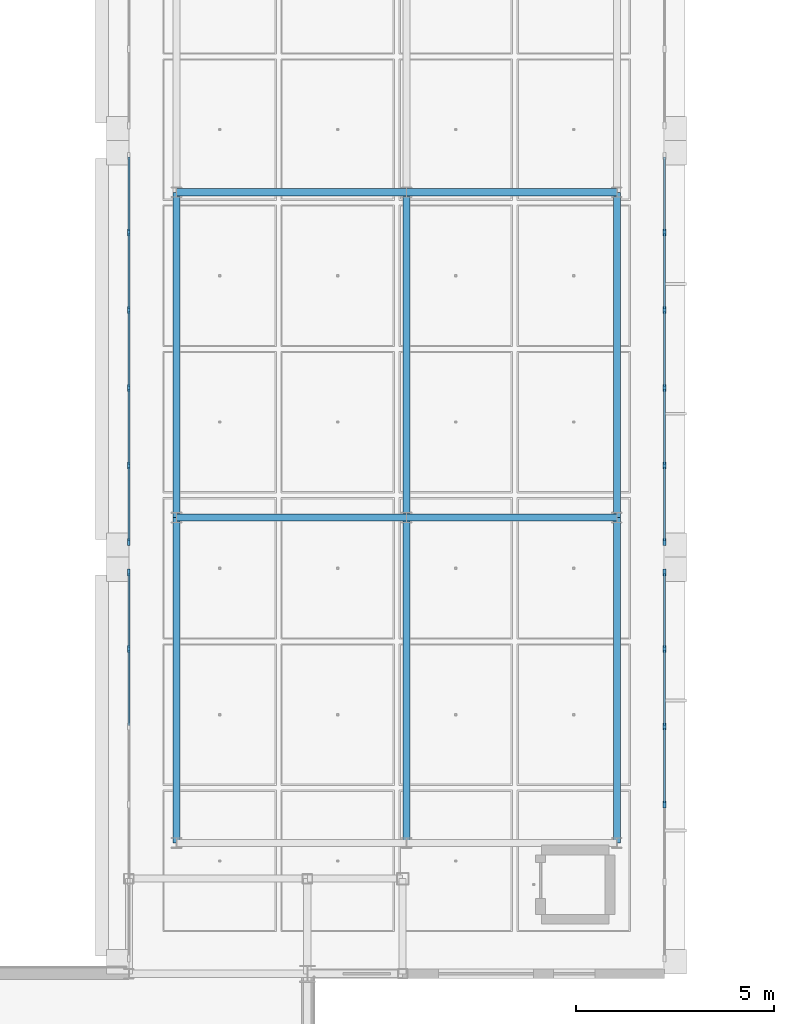
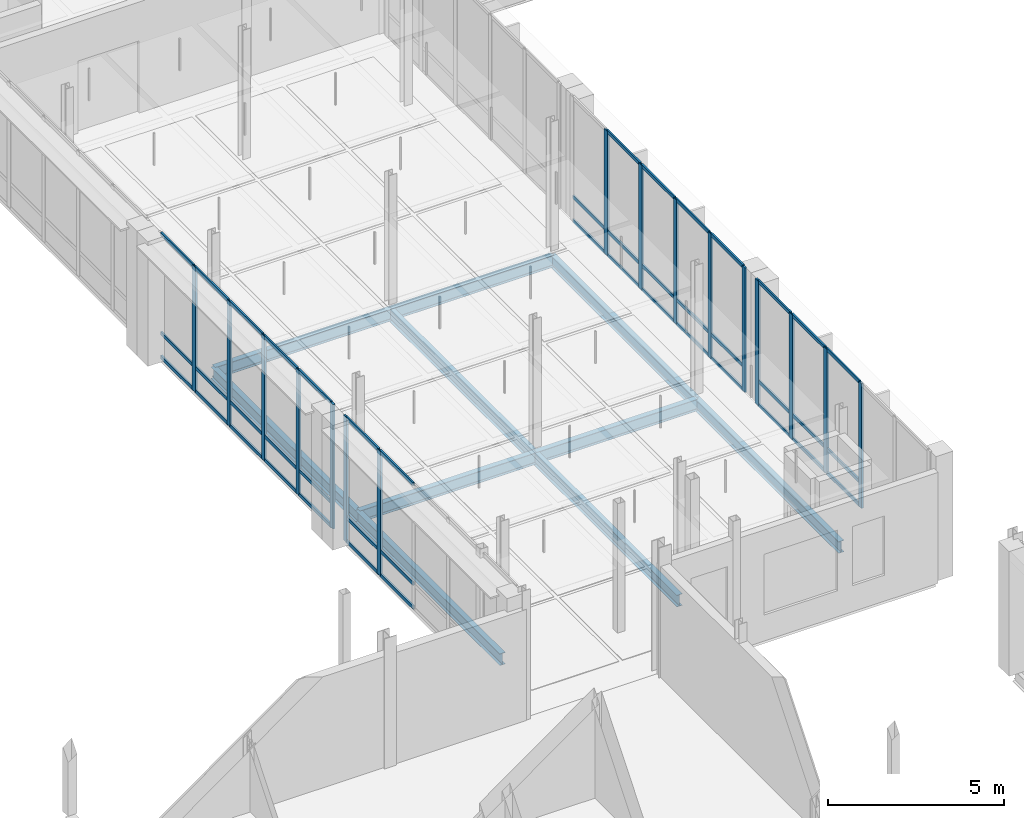
# One storey, part 30 of 130: 60 members, 10 beams, 4 elements without a shape of their own.
"""IFC4 building model written with IfcOpenShell, lengths in metres."""

from ifc_helpers import new_model, si_unit, direction, frame, origin, origin_2d, place, context, subcontext, project, spatial, rectangle, i_section, extrude, material, material_profile, profile_set, type_object, element, aggregate, save


model = new_model("IFC4")

# Units and contexts
model_context = context("Model", 3, precision=1e-05, world=origin(), true_north=direction((0.0, 1.0)))
body_context = subcontext(model_context, "Body", "Model", "MODEL_VIEW")
ifc_project = project(units=[si_unit("LENGTHUNIT", "METRE"), si_unit("AREAUNIT", "SQUARE_METRE"), si_unit("VOLUMEUNIT", "CUBIC_METRE"), si_unit("PLANEANGLEUNIT", "RADIAN"), si_unit("MASSUNIT", "GRAM", prefix="KILO"), si_unit("THERMODYNAMICTEMPERATUREUNIT", "KELVIN"), si_unit("POWERUNIT", "WATT")], contexts=[model_context])

# Site, building, storey
site_placement = place(None, origin())
site = spatial("IfcSite", under=ifc_project, at=site_placement, CompositionType="ELEMENT")
building_placement = place(site_placement, origin())
building = spatial("IfcBuilding", under=site, at=building_placement, Name="Tallowbark Science Centre", CompositionType="ELEMENT")
storey_placement = place(building_placement, frame((0.0, 0.0, 5.39990234375)))
storey = spatial("IfcBuildingStorey", under=building, at=storey_placement, Name="L01", CompositionType="ELEMENT", Elevation=5.39990234375)

# Beams
ifc_material_1 = material(Name="Structural Steel Grade 300PLUS (300 MPa)", Category="steel")
ifc_material_profile_1 = material_profile(ifc_material_1, i_section(OverallWidth=0.177734375, OverallDepth=0.406494140625, WebThickness=0.0078125, FlangeThickness=0.0126953125, FilletRadius=0.011474609375, at=origin_2d()), Name="410UB59.7")
ifc_profile_set_1 = profile_set([ifc_material_profile_1], Name="Structural Steel Grade 300PLUS (300 MPa)")
beam_type = type_object("IfcBeamType", Name="BM-UB410", PredefinedType="BEAM", material=ifc_profile_set_1)
beam_1_placement = place(storey_placement, frame((100.199951171875, 52.0, -0.383056640625), z_axis=(1.0, 0.0, 0.0), x_axis=(0.0, 1.0, 0.0)))
element("IfcBeam", 1, at=beam_1_placement, inside=storey, type_object=beam_type, Name="Primary Girder GRDX-L01-1002-1060-520", PredefinedType="BEAM", context=body_context, shape_type="SweptSolid", body=[
    extrude(i_section(OverallWidth=0.177734375, OverallDepth=0.406494140625, WebThickness=0.0078125, FlangeThickness=0.0126953125, FilletRadius=0.011474609375, at=origin_2d()), origin(), (0.0, 0.0, 1.0), 5.800048828125),
])
beam_2_placement = place(storey_placement, frame((106.0, 52.0, -0.383056640625), z_axis=(1.0, 0.0, 0.0), x_axis=(0.0, 1.0, 0.0)))
element("IfcBeam", 2, at=beam_2_placement, inside=storey, type_object=beam_type, Name="Primary Girder GRDX-L01-1060-1113-520", PredefinedType="BEAM", context=body_context, shape_type="SweptSolid", body=[
    extrude(i_section(OverallWidth=0.177734375, OverallDepth=0.406494140625, WebThickness=0.0078125, FlangeThickness=0.0126953125, FilletRadius=0.011474609375, at=origin_2d()), origin(), (0.0, 0.0, 1.0), 5.300048828125),
])
beam_3_placement = place(storey_placement, frame((100.199951171875, 60.199951171875, -0.383056640625), z_axis=(1.0, 0.0, 0.0), x_axis=(0.0, 1.0, 0.0)))
element("IfcBeam", 3, at=beam_3_placement, inside=storey, type_object=beam_type, Name="Primary Girder GRDX-L01-1002-1060-602", PredefinedType="BEAM", context=body_context, shape_type="SweptSolid", body=[
    extrude(i_section(OverallWidth=0.177734375, OverallDepth=0.406494140625, WebThickness=0.0078125, FlangeThickness=0.0126953125, FilletRadius=0.011474609375, at=origin_2d()), origin(), (0.0, 0.0, 1.0), 5.800048828125),
])
beam_4_placement = place(storey_placement, frame((106.0, 60.199951171875, -0.383056640625), z_axis=(1.0, 0.0, 0.0), x_axis=(0.0, 1.0, 0.0)))
element("IfcBeam", 4, at=beam_4_placement, inside=storey, type_object=beam_type, Name="Primary Girder GRDX-L01-1060-1113-602", PredefinedType="BEAM", context=body_context, shape_type="SweptSolid", body=[
    extrude(i_section(OverallWidth=0.177734375, OverallDepth=0.406494140625, WebThickness=0.0078125, FlangeThickness=0.0126953125, FilletRadius=0.011474609375, at=origin_2d()), origin(), (0.0, 0.0, 1.0), 5.300048828125),
])
for number, where, z_axis, x_axis, name in (
    (5, (100.199951171875, 43.800048828125, -0.383056640625), (0.0, 1.0, 0.0), (-1.0, 0.0, 0.0), "Primary Girder GRDY-L01-1002-438-520"),
    (6, (100.199951171875, 52.0, -0.383056640625), (0.0, 1.0, 0.0), (-1.0, 0.0, 0.0), "Primary Girder GRDY-L01-1002-520-602"),
    (7, (106.0, 43.800048828125, -0.383056640625), (0.0, 1.0, 0.0), (-1.0, 0.0, 0.0), "Primary Girder GRDY-L01-1060-438-520"),
    (8, (106.0, 52.0, -0.383056640625), (0.0, 1.0, 0.0), (-1.0, 0.0, 0.0), "Primary Girder GRDY-L01-1060-520-602"),
    (9, (111.300048828125, 43.800048828125, -0.383056640625), (0.0, 1.0, 0.0), (-1.0, 0.0, 0.0), "Primary Girder GRDY-L01-1113-438-520"),
    (10, (111.300048828125, 52.0, -0.383056640625), (0.0, 1.0, 0.0), (-1.0, 0.0, 0.0), "Primary Girder GRDY-L01-1113-520-602"),
):
    element("IfcBeam", number, at=place(storey_placement, frame(where, z_axis=z_axis, x_axis=x_axis)), inside=storey, type_object=beam_type, Name=name, PredefinedType="BEAM", context=body_context, shape_type="SweptSolid", body=[
        extrude(i_section(OverallWidth=0.177734375, OverallDepth=0.406494140625, WebThickness=0.0078125, FlangeThickness=0.0126953125, FilletRadius=0.011474609375, at=origin_2d()), origin(), (0.0, 0.0, 1.0), 8.199951171875),
    ])

# Curtain wall, members
ifc_material_2 = material(Name="Unitised Thermally Broken Aluminium and Low-E Double Glazing", Category="aluminium")
curtain_wall_type = type_object("IfcCurtainWallType", Name="CW-SYS-FACADE", PredefinedType="NOTDEFINED", material=ifc_material_2)
curtain_wall_1_placement = place(storey_placement, origin())
curtain_wall_1 = element("IfcCurtainWall", 11, at=curtain_wall_1_placement, inside=storey, type_object=curtain_wall_type, Name="Unitised Curtain Wall LNK-W-0 CW-L01-010", PredefinedType="NOTDEFINED")
ifc_material_3 = material(Name="Anodised Architectural Aluminium Alloy 6063-T6", Category="aluminium")
ifc_material_profile_2 = material_profile(ifc_material_3, rectangle(XDim=0.06494140625, YDim=0.179931640625, at=origin_2d()), Name="ALU65x180")
ifc_profile_set_2 = profile_set([ifc_material_profile_2], Name="Anodised Architectural Aluminium Alloy 6063-T6")
member_type_1 = type_object("IfcMemberType", Name="CWM-MUL-220", PredefinedType="MULLION", material=ifc_profile_set_2)
member_1_placement = place(storey_placement, frame((99.0, 50.617431640625, 0.0), z_axis=(0.0, 0.0, 1.0), x_axis=(1.0, 0.0, 0.0)))
member_1 = element("IfcMember", 12, at=member_1_placement, type_object=member_type_1, Name="CW-01 mullion 1", PredefinedType="MULLION", context=body_context, shape_type="SweptSolid", body=[
    extrude(rectangle(XDim=0.06494140625, YDim=0.179931640625, at=origin_2d()), origin(), (0.0, 0.0, 1.0), 4.320068359375),
])
member_2_placement = place(storey_placement, frame((99.0, 48.68994140625, 0.0), z_axis=(0.0, 0.0, 1.0), x_axis=(1.0, 0.0, 0.0)))
member_2 = element("IfcMember", 13, at=member_2_placement, type_object=member_type_1, Name="CW-01 mullion 2", PredefinedType="MULLION", context=body_context, shape_type="SweptSolid", body=[
    extrude(rectangle(XDim=0.06494140625, YDim=0.179931640625, at=origin_2d()), origin(), (0.0, 0.0, 1.0), 4.320068359375),
])

curtain_wall_2_placement = place(storey_placement, origin())
curtain_wall_2 = element("IfcCurtainWall", 14, at=curtain_wall_2_placement, inside=storey, type_object=curtain_wall_type, Name="Unitised Curtain Wall LNK-E-0 CW-L01-011", PredefinedType="NOTDEFINED")
member_3_placement = place(storey_placement, frame((112.5, 44.77001953125, 0.0), z_axis=(0.0, 0.0, 1.0), x_axis=(-1.0, 0.0, 0.0)))
member_3 = element("IfcMember", 15, at=member_3_placement, type_object=member_type_1, Name="CW-01 mullion 3", PredefinedType="MULLION", context=body_context, shape_type="SweptSolid", body=[
    extrude(rectangle(XDim=0.06494140625, YDim=0.179931640625, at=origin_2d()), origin(), (0.0, 0.0, 1.0), 4.320068359375),
])
member_4_placement = place(storey_placement, frame((112.5, 46.72998046875, 0.0), z_axis=(0.0, 0.0, 1.0), x_axis=(-1.0, 0.0, 0.0)))
member_4 = element("IfcMember", 16, at=member_4_placement, type_object=member_type_1, Name="CW-01 mullion 4", PredefinedType="MULLION", context=body_context, shape_type="SweptSolid", body=[
    extrude(rectangle(XDim=0.06494140625, YDim=0.179931640625, at=origin_2d()), origin(), (0.0, 0.0, 1.0), 4.320068359375),
])
member_5_placement = place(storey_placement, frame((112.5, 48.68994140625, 0.0), z_axis=(0.0, 0.0, 1.0), x_axis=(-1.0, 0.0, 0.0)))
member_5 = element("IfcMember", 17, at=member_5_placement, type_object=member_type_1, Name="CW-01 mullion 5", PredefinedType="MULLION", context=body_context, shape_type="SweptSolid", body=[
    extrude(rectangle(XDim=0.06494140625, YDim=0.179931640625, at=origin_2d()), origin(), (0.0, 0.0, 1.0), 4.320068359375),
])
member_6_placement = place(storey_placement, frame((112.5, 50.617431640625, 0.0), z_axis=(0.0, 0.0, 1.0), x_axis=(-1.0, 0.0, 0.0)))
member_6 = element("IfcMember", 18, at=member_6_placement, type_object=member_type_1, Name="CW-01 mullion 6", PredefinedType="MULLION", context=body_context, shape_type="SweptSolid", body=[
    extrude(rectangle(XDim=0.06494140625, YDim=0.179931640625, at=origin_2d()), origin(), (0.0, 0.0, 1.0), 4.320068359375),
])

curtain_wall_3_placement = place(storey_placement, origin())
curtain_wall_3 = element("IfcCurtainWall", 19, at=curtain_wall_3_placement, inside=storey, type_object=curtain_wall_type, Name="Unitised Curtain Wall LNK-W-1 CW-L01-012", PredefinedType="NOTDEFINED")
member_7_placement = place(storey_placement, frame((99.0, 59.18994140625, 0.0), z_axis=(0.0, 0.0, 1.0), x_axis=(1.0, 0.0, 0.0)))
member_7 = element("IfcMember", 20, at=member_7_placement, type_object=member_type_1, Name="CW-01 mullion 2", PredefinedType="MULLION", context=body_context, shape_type="SweptSolid", body=[
    extrude(rectangle(XDim=0.06494140625, YDim=0.179931640625, at=origin_2d()), origin(), (0.0, 0.0, 1.0), 4.320068359375),
])
member_8_placement = place(storey_placement, frame((99.0, 57.22998046875, 0.0), z_axis=(0.0, 0.0, 1.0), x_axis=(1.0, 0.0, 0.0)))
member_8 = element("IfcMember", 21, at=member_8_placement, type_object=member_type_1, Name="CW-01 mullion 3", PredefinedType="MULLION", context=body_context, shape_type="SweptSolid", body=[
    extrude(rectangle(XDim=0.06494140625, YDim=0.179931640625, at=origin_2d()), origin(), (0.0, 0.0, 1.0), 4.320068359375),
])
member_9_placement = place(storey_placement, frame((99.0, 55.27001953125, 0.0), z_axis=(0.0, 0.0, 1.0), x_axis=(1.0, 0.0, 0.0)))
member_9 = element("IfcMember", 22, at=member_9_placement, type_object=member_type_1, Name="CW-01 mullion 4", PredefinedType="MULLION", context=body_context, shape_type="SweptSolid", body=[
    extrude(rectangle(XDim=0.06494140625, YDim=0.179931640625, at=origin_2d()), origin(), (0.0, 0.0, 1.0), 4.320068359375),
])
member_10_placement = place(storey_placement, frame((99.0, 53.31005859375, 0.0), z_axis=(0.0, 0.0, 1.0), x_axis=(1.0, 0.0, 0.0)))
member_10 = element("IfcMember", 23, at=member_10_placement, type_object=member_type_1, Name="CW-01 mullion 5", PredefinedType="MULLION", context=body_context, shape_type="SweptSolid", body=[
    extrude(rectangle(XDim=0.06494140625, YDim=0.179931640625, at=origin_2d()), origin(), (0.0, 0.0, 1.0), 4.320068359375),
])
member_11_placement = place(storey_placement, frame((99.0, 51.382568359375, 0.0), z_axis=(0.0, 0.0, 1.0), x_axis=(1.0, 0.0, 0.0)))
member_11 = element("IfcMember", 24, at=member_11_placement, type_object=member_type_1, Name="CW-01 mullion 6", PredefinedType="MULLION", context=body_context, shape_type="SweptSolid", body=[
    extrude(rectangle(XDim=0.06494140625, YDim=0.179931640625, at=origin_2d()), origin(), (0.0, 0.0, 1.0), 4.320068359375),
])

curtain_wall_4_placement = place(storey_placement, origin())
curtain_wall_4 = element("IfcCurtainWall", 25, at=curtain_wall_4_placement, inside=storey, type_object=curtain_wall_type, Name="Unitised Curtain Wall LNK-E-1 CW-L01-013", PredefinedType="NOTDEFINED")
member_12_placement = place(storey_placement, frame((112.5, 51.382568359375, 0.0), z_axis=(0.0, 0.0, 1.0), x_axis=(-1.0, 0.0, 0.0)))
member_12 = element("IfcMember", 26, at=member_12_placement, type_object=member_type_1, Name="CW-01 mullion 1", PredefinedType="MULLION", context=body_context, shape_type="SweptSolid", body=[
    extrude(rectangle(XDim=0.06494140625, YDim=0.179931640625, at=origin_2d()), origin(), (0.0, 0.0, 1.0), 4.320068359375),
])
member_13_placement = place(storey_placement, frame((112.5, 53.31005859375, 0.0), z_axis=(0.0, 0.0, 1.0), x_axis=(-1.0, 0.0, 0.0)))
member_13 = element("IfcMember", 27, at=member_13_placement, type_object=member_type_1, Name="CW-01 mullion 2", PredefinedType="MULLION", context=body_context, shape_type="SweptSolid", body=[
    extrude(rectangle(XDim=0.06494140625, YDim=0.179931640625, at=origin_2d()), origin(), (0.0, 0.0, 1.0), 4.320068359375),
])
member_14_placement = place(storey_placement, frame((112.5, 55.27001953125, 0.0), z_axis=(0.0, 0.0, 1.0), x_axis=(-1.0, 0.0, 0.0)))
member_14 = element("IfcMember", 28, at=member_14_placement, type_object=member_type_1, Name="CW-01 mullion 3", PredefinedType="MULLION", context=body_context, shape_type="SweptSolid", body=[
    extrude(rectangle(XDim=0.06494140625, YDim=0.179931640625, at=origin_2d()), origin(), (0.0, 0.0, 1.0), 4.320068359375),
])
member_15_placement = place(storey_placement, frame((112.5, 57.22998046875, 0.0), z_axis=(0.0, 0.0, 1.0), x_axis=(-1.0, 0.0, 0.0)))
member_15 = element("IfcMember", 29, at=member_15_placement, type_object=member_type_1, Name="CW-01 mullion 4", PredefinedType="MULLION", context=body_context, shape_type="SweptSolid", body=[
    extrude(rectangle(XDim=0.06494140625, YDim=0.179931640625, at=origin_2d()), origin(), (0.0, 0.0, 1.0), 4.320068359375),
])
member_16_placement = place(storey_placement, frame((112.5, 59.18994140625, 0.0), z_axis=(0.0, 0.0, 1.0), x_axis=(-1.0, 0.0, 0.0)))
member_16 = element("IfcMember", 30, at=member_16_placement, type_object=member_type_1, Name="CW-01 mullion 5", PredefinedType="MULLION", context=body_context, shape_type="SweptSolid", body=[
    extrude(rectangle(XDim=0.06494140625, YDim=0.179931640625, at=origin_2d()), origin(), (0.0, 0.0, 1.0), 4.320068359375),
])

# Member
ifc_material_profile_3 = material_profile(ifc_material_3, rectangle(XDim=0.054931640625, YDim=0.1201171875, at=origin_2d()), Name="ALU55x120")
ifc_profile_set_3 = profile_set([ifc_material_profile_3], Name="Anodised Architectural Aluminium Alloy 6063-T6")
member_type_2 = type_object("IfcMemberType", Name="CWM-TRN-150", PredefinedType="USERDEFINED", material=ifc_profile_set_3)
member_17_placement = place(storey_placement, frame((99.0, 50.5849609375, 0.027587890625), z_axis=(0.0, -1.0, 0.0), x_axis=(1.0, 0.0, 0.0)))
member_17 = element("IfcMember", 31, at=member_17_placement, type_object=member_type_2, Name="CW-01 transom 1.1", ObjectType="TRANSOM", PredefinedType="USERDEFINED", context=body_context, shape_type="SweptSolid", body=[
    extrude(rectangle(XDim=0.054931640625, YDim=0.1201171875, at=origin_2d()), origin(), (0.0, 0.0, 1.0), 1.862548828125),
])

member_18_placement = place(storey_placement, frame((99.0, 50.5849609375, 0.85009765625), z_axis=(0.0, -1.0, 0.0), x_axis=(1.0, 0.0, 0.0)))
member_18 = element("IfcMember", 32, at=member_18_placement, type_object=member_type_2, Name="CW-01 transom 1.2", ObjectType="TRANSOM", PredefinedType="USERDEFINED", context=body_context, shape_type="SweptSolid", body=[
    extrude(rectangle(XDim=0.054931640625, YDim=0.1201171875, at=origin_2d()), origin(), (0.0, 0.0, 1.0), 1.862548828125),
])

member_19_placement = place(storey_placement, frame((99.0, 50.5849609375, 4.29248046875), z_axis=(0.0, -1.0, 0.0), x_axis=(1.0, 0.0, 0.0)))
member_19 = element("IfcMember", 33, at=member_19_placement, type_object=member_type_2, Name="CW-01 transom 1.3", ObjectType="TRANSOM", PredefinedType="USERDEFINED", context=body_context, shape_type="SweptSolid", body=[
    extrude(rectangle(XDim=0.054931640625, YDim=0.1201171875, at=origin_2d()), origin(), (0.0, 0.0, 1.0), 1.862548828125),
])

member_20_placement = place(storey_placement, frame((99.0, 48.657470703125, 0.027587890625), z_axis=(0.0, -1.0, 0.0), x_axis=(1.0, 0.0, 0.0)))
member_20 = element("IfcMember", 34, at=member_20_placement, type_object=member_type_2, Name="CW-01 transom 2.1", ObjectType="TRANSOM", PredefinedType="USERDEFINED", context=body_context, shape_type="SweptSolid", body=[
    extrude(rectangle(XDim=0.054931640625, YDim=0.1201171875, at=origin_2d()), origin(), (0.0, 0.0, 1.0), 1.89501953125),
])

member_21_placement = place(storey_placement, frame((99.0, 48.657470703125, 0.85009765625), z_axis=(0.0, -1.0, 0.0), x_axis=(1.0, 0.0, 0.0)))
member_21 = element("IfcMember", 35, at=member_21_placement, type_object=member_type_2, Name="CW-01 transom 2.2", ObjectType="TRANSOM", PredefinedType="USERDEFINED", context=body_context, shape_type="SweptSolid", body=[
    extrude(rectangle(XDim=0.054931640625, YDim=0.1201171875, at=origin_2d()), origin(), (0.0, 0.0, 1.0), 1.89501953125),
])

member_22_placement = place(storey_placement, frame((99.0, 48.657470703125, 4.29248046875), z_axis=(0.0, -1.0, 0.0), x_axis=(1.0, 0.0, 0.0)))
member_22 = element("IfcMember", 36, at=member_22_placement, type_object=member_type_2, Name="CW-01 transom 2.3", ObjectType="TRANSOM", PredefinedType="USERDEFINED", context=body_context, shape_type="SweptSolid", body=[
    extrude(rectangle(XDim=0.054931640625, YDim=0.1201171875, at=origin_2d()), origin(), (0.0, 0.0, 1.0), 1.89501953125),
])

aggregate(curtain_wall_1, [member_1, member_2, member_17, member_18, member_19, member_20, member_21, member_22])

member_23_placement = place(storey_placement, frame((112.5, 44.802490234375, 0.027587890625), z_axis=(0.0, 1.0, 0.0), x_axis=(-1.0, 0.0, 0.0)))
member_23 = element("IfcMember", 37, at=member_23_placement, type_object=member_type_2, Name="CW-01 transom 3.1", ObjectType="TRANSOM", PredefinedType="USERDEFINED", context=body_context, shape_type="SweptSolid", body=[
    extrude(rectangle(XDim=0.054931640625, YDim=0.1201171875, at=origin_2d()), origin(), (0.0, 0.0, 1.0), 1.89501953125),
])

member_24_placement = place(storey_placement, frame((112.5, 44.802490234375, 0.85009765625), z_axis=(0.0, 1.0, 0.0), x_axis=(-1.0, 0.0, 0.0)))
member_24 = element("IfcMember", 38, at=member_24_placement, type_object=member_type_2, Name="CW-01 transom 3.2", ObjectType="TRANSOM", PredefinedType="USERDEFINED", context=body_context, shape_type="SweptSolid", body=[
    extrude(rectangle(XDim=0.054931640625, YDim=0.1201171875, at=origin_2d()), origin(), (0.0, 0.0, 1.0), 1.89501953125),
])

member_25_placement = place(storey_placement, frame((112.5, 44.802490234375, 4.29248046875), z_axis=(0.0, 1.0, 0.0), x_axis=(-1.0, 0.0, 0.0)))
member_25 = element("IfcMember", 39, at=member_25_placement, type_object=member_type_2, Name="CW-01 transom 3.3", ObjectType="TRANSOM", PredefinedType="USERDEFINED", context=body_context, shape_type="SweptSolid", body=[
    extrude(rectangle(XDim=0.054931640625, YDim=0.1201171875, at=origin_2d()), origin(), (0.0, 0.0, 1.0), 1.89501953125),
])

member_26_placement = place(storey_placement, frame((112.5, 46.762451171875, 0.027587890625), z_axis=(0.0, 1.0, 0.0), x_axis=(-1.0, 0.0, 0.0)))
member_26 = element("IfcMember", 40, at=member_26_placement, type_object=member_type_2, Name="CW-01 transom 4.1", ObjectType="TRANSOM", PredefinedType="USERDEFINED", context=body_context, shape_type="SweptSolid", body=[
    extrude(rectangle(XDim=0.054931640625, YDim=0.1201171875, at=origin_2d()), origin(), (0.0, 0.0, 1.0), 1.89501953125),
])

member_27_placement = place(storey_placement, frame((112.5, 46.762451171875, 0.85009765625), z_axis=(0.0, 1.0, 0.0), x_axis=(-1.0, 0.0, 0.0)))
member_27 = element("IfcMember", 41, at=member_27_placement, type_object=member_type_2, Name="CW-01 transom 4.2", ObjectType="TRANSOM", PredefinedType="USERDEFINED", context=body_context, shape_type="SweptSolid", body=[
    extrude(rectangle(XDim=0.054931640625, YDim=0.1201171875, at=origin_2d()), origin(), (0.0, 0.0, 1.0), 1.89501953125),
])

member_28_placement = place(storey_placement, frame((112.5, 46.762451171875, 4.29248046875), z_axis=(0.0, 1.0, 0.0), x_axis=(-1.0, 0.0, 0.0)))
member_28 = element("IfcMember", 42, at=member_28_placement, type_object=member_type_2, Name="CW-01 transom 4.3", ObjectType="TRANSOM", PredefinedType="USERDEFINED", context=body_context, shape_type="SweptSolid", body=[
    extrude(rectangle(XDim=0.054931640625, YDim=0.1201171875, at=origin_2d()), origin(), (0.0, 0.0, 1.0), 1.89501953125),
])

member_29_placement = place(storey_placement, frame((112.5, 48.722412109375, 0.027587890625), z_axis=(0.0, 1.0, 0.0), x_axis=(-1.0, 0.0, 0.0)))
member_29 = element("IfcMember", 43, at=member_29_placement, type_object=member_type_2, Name="CW-01 transom 5.1", ObjectType="TRANSOM", PredefinedType="USERDEFINED", context=body_context, shape_type="SweptSolid", body=[
    extrude(rectangle(XDim=0.054931640625, YDim=0.1201171875, at=origin_2d()), origin(), (0.0, 0.0, 1.0), 1.862548828125),
])

member_30_placement = place(storey_placement, frame((112.5, 48.722412109375, 0.85009765625), z_axis=(0.0, 1.0, 0.0), x_axis=(-1.0, 0.0, 0.0)))
member_30 = element("IfcMember", 44, at=member_30_placement, type_object=member_type_2, Name="CW-01 transom 5.2", ObjectType="TRANSOM", PredefinedType="USERDEFINED", context=body_context, shape_type="SweptSolid", body=[
    extrude(rectangle(XDim=0.054931640625, YDim=0.1201171875, at=origin_2d()), origin(), (0.0, 0.0, 1.0), 1.862548828125),
])

member_31_placement = place(storey_placement, frame((112.5, 48.722412109375, 4.29248046875), z_axis=(0.0, 1.0, 0.0), x_axis=(-1.0, 0.0, 0.0)))
member_31 = element("IfcMember", 45, at=member_31_placement, type_object=member_type_2, Name="CW-01 transom 5.3", ObjectType="TRANSOM", PredefinedType="USERDEFINED", context=body_context, shape_type="SweptSolid", body=[
    extrude(rectangle(XDim=0.054931640625, YDim=0.1201171875, at=origin_2d()), origin(), (0.0, 0.0, 1.0), 1.862548828125),
])

aggregate(curtain_wall_2, [member_3, member_4, member_5, member_6, member_23, member_24, member_25, member_26, member_27, member_28, member_29, member_30, member_31])

member_32_placement = place(storey_placement, frame((99.0, 61.0849609375, 0.027587890625), z_axis=(0.0, -1.0, 0.0), x_axis=(1.0, 0.0, 0.0)))
member_32 = element("IfcMember", 46, at=member_32_placement, type_object=member_type_2, Name="CW-01 transom 1.1", ObjectType="TRANSOM", PredefinedType="USERDEFINED", context=body_context, shape_type="SweptSolid", body=[
    extrude(rectangle(XDim=0.054931640625, YDim=0.1201171875, at=origin_2d()), origin(), (0.0, 0.0, 1.0), 1.862548828125),
])

member_33_placement = place(storey_placement, frame((99.0, 61.0849609375, 0.85009765625), z_axis=(0.0, -1.0, 0.0), x_axis=(1.0, 0.0, 0.0)))
member_33 = element("IfcMember", 47, at=member_33_placement, type_object=member_type_2, Name="CW-01 transom 1.2", ObjectType="TRANSOM", PredefinedType="USERDEFINED", context=body_context, shape_type="SweptSolid", body=[
    extrude(rectangle(XDim=0.054931640625, YDim=0.1201171875, at=origin_2d()), origin(), (0.0, 0.0, 1.0), 1.862548828125),
])

member_34_placement = place(storey_placement, frame((99.0, 61.0849609375, 4.29248046875), z_axis=(0.0, -1.0, 0.0), x_axis=(1.0, 0.0, 0.0)))
member_34 = element("IfcMember", 48, at=member_34_placement, type_object=member_type_2, Name="CW-01 transom 1.3", ObjectType="TRANSOM", PredefinedType="USERDEFINED", context=body_context, shape_type="SweptSolid", body=[
    extrude(rectangle(XDim=0.054931640625, YDim=0.1201171875, at=origin_2d()), origin(), (0.0, 0.0, 1.0), 1.862548828125),
])

member_35_placement = place(storey_placement, frame((99.0, 59.157470703125, 0.027587890625), z_axis=(0.0, -1.0, 0.0), x_axis=(1.0, 0.0, 0.0)))
member_35 = element("IfcMember", 49, at=member_35_placement, type_object=member_type_2, Name="CW-01 transom 2.1", ObjectType="TRANSOM", PredefinedType="USERDEFINED", context=body_context, shape_type="SweptSolid", body=[
    extrude(rectangle(XDim=0.054931640625, YDim=0.1201171875, at=origin_2d()), origin(), (0.0, 0.0, 1.0), 1.89501953125),
])

member_36_placement = place(storey_placement, frame((99.0, 59.157470703125, 0.85009765625), z_axis=(0.0, -1.0, 0.0), x_axis=(1.0, 0.0, 0.0)))
member_36 = element("IfcMember", 50, at=member_36_placement, type_object=member_type_2, Name="CW-01 transom 2.2", ObjectType="TRANSOM", PredefinedType="USERDEFINED", context=body_context, shape_type="SweptSolid", body=[
    extrude(rectangle(XDim=0.054931640625, YDim=0.1201171875, at=origin_2d()), origin(), (0.0, 0.0, 1.0), 1.89501953125),
])

member_37_placement = place(storey_placement, frame((99.0, 59.157470703125, 4.29248046875), z_axis=(0.0, -1.0, 0.0), x_axis=(1.0, 0.0, 0.0)))
member_37 = element("IfcMember", 51, at=member_37_placement, type_object=member_type_2, Name="CW-01 transom 2.3", ObjectType="TRANSOM", PredefinedType="USERDEFINED", context=body_context, shape_type="SweptSolid", body=[
    extrude(rectangle(XDim=0.054931640625, YDim=0.1201171875, at=origin_2d()), origin(), (0.0, 0.0, 1.0), 1.89501953125),
])

member_38_placement = place(storey_placement, frame((99.0, 57.197509765625, 0.027587890625), z_axis=(0.0, -1.0, 0.0), x_axis=(1.0, 0.0, 0.0)))
member_38 = element("IfcMember", 52, at=member_38_placement, type_object=member_type_2, Name="CW-01 transom 3.1", ObjectType="TRANSOM", PredefinedType="USERDEFINED", context=body_context, shape_type="SweptSolid", body=[
    extrude(rectangle(XDim=0.054931640625, YDim=0.1201171875, at=origin_2d()), origin(), (0.0, 0.0, 1.0), 1.89501953125),
])

member_39_placement = place(storey_placement, frame((99.0, 57.197509765625, 0.85009765625), z_axis=(0.0, -1.0, 0.0), x_axis=(1.0, 0.0, 0.0)))
member_39 = element("IfcMember", 53, at=member_39_placement, type_object=member_type_2, Name="CW-01 transom 3.2", ObjectType="TRANSOM", PredefinedType="USERDEFINED", context=body_context, shape_type="SweptSolid", body=[
    extrude(rectangle(XDim=0.054931640625, YDim=0.1201171875, at=origin_2d()), origin(), (0.0, 0.0, 1.0), 1.89501953125),
])

member_40_placement = place(storey_placement, frame((99.0, 57.197509765625, 4.29248046875), z_axis=(0.0, -1.0, 0.0), x_axis=(1.0, 0.0, 0.0)))
member_40 = element("IfcMember", 54, at=member_40_placement, type_object=member_type_2, Name="CW-01 transom 3.3", ObjectType="TRANSOM", PredefinedType="USERDEFINED", context=body_context, shape_type="SweptSolid", body=[
    extrude(rectangle(XDim=0.054931640625, YDim=0.1201171875, at=origin_2d()), origin(), (0.0, 0.0, 1.0), 1.89501953125),
])

member_41_placement = place(storey_placement, frame((99.0, 55.237548828125, 0.027587890625), z_axis=(0.0, -1.0, 0.0), x_axis=(1.0, 0.0, 0.0)))
member_41 = element("IfcMember", 55, at=member_41_placement, type_object=member_type_2, Name="CW-01 transom 4.1", ObjectType="TRANSOM", PredefinedType="USERDEFINED", context=body_context, shape_type="SweptSolid", body=[
    extrude(rectangle(XDim=0.054931640625, YDim=0.1201171875, at=origin_2d()), origin(), (0.0, 0.0, 1.0), 1.89501953125),
])

member_42_placement = place(storey_placement, frame((99.0, 55.237548828125, 0.85009765625), z_axis=(0.0, -1.0, 0.0), x_axis=(1.0, 0.0, 0.0)))
member_42 = element("IfcMember", 56, at=member_42_placement, type_object=member_type_2, Name="CW-01 transom 4.2", ObjectType="TRANSOM", PredefinedType="USERDEFINED", context=body_context, shape_type="SweptSolid", body=[
    extrude(rectangle(XDim=0.054931640625, YDim=0.1201171875, at=origin_2d()), origin(), (0.0, 0.0, 1.0), 1.89501953125),
])

member_43_placement = place(storey_placement, frame((99.0, 55.237548828125, 4.29248046875), z_axis=(0.0, -1.0, 0.0), x_axis=(1.0, 0.0, 0.0)))
member_43 = element("IfcMember", 57, at=member_43_placement, type_object=member_type_2, Name="CW-01 transom 4.3", ObjectType="TRANSOM", PredefinedType="USERDEFINED", context=body_context, shape_type="SweptSolid", body=[
    extrude(rectangle(XDim=0.054931640625, YDim=0.1201171875, at=origin_2d()), origin(), (0.0, 0.0, 1.0), 1.89501953125),
])

member_44_placement = place(storey_placement, frame((99.0, 53.277587890625, 0.027587890625), z_axis=(0.0, -1.0, 0.0), x_axis=(1.0, 0.0, 0.0)))
member_44 = element("IfcMember", 58, at=member_44_placement, type_object=member_type_2, Name="CW-01 transom 5.1", ObjectType="TRANSOM", PredefinedType="USERDEFINED", context=body_context, shape_type="SweptSolid", body=[
    extrude(rectangle(XDim=0.054931640625, YDim=0.1201171875, at=origin_2d()), origin(), (0.0, 0.0, 1.0), 1.862548828125),
])

member_45_placement = place(storey_placement, frame((99.0, 53.277587890625, 0.85009765625), z_axis=(0.0, -1.0, 0.0), x_axis=(1.0, 0.0, 0.0)))
member_45 = element("IfcMember", 59, at=member_45_placement, type_object=member_type_2, Name="CW-01 transom 5.2", ObjectType="TRANSOM", PredefinedType="USERDEFINED", context=body_context, shape_type="SweptSolid", body=[
    extrude(rectangle(XDim=0.054931640625, YDim=0.1201171875, at=origin_2d()), origin(), (0.0, 0.0, 1.0), 1.862548828125),
])

member_46_placement = place(storey_placement, frame((99.0, 53.277587890625, 4.29248046875), z_axis=(0.0, -1.0, 0.0), x_axis=(1.0, 0.0, 0.0)))
member_46 = element("IfcMember", 60, at=member_46_placement, type_object=member_type_2, Name="CW-01 transom 5.3", ObjectType="TRANSOM", PredefinedType="USERDEFINED", context=body_context, shape_type="SweptSolid", body=[
    extrude(rectangle(XDim=0.054931640625, YDim=0.1201171875, at=origin_2d()), origin(), (0.0, 0.0, 1.0), 1.862548828125),
])

aggregate(curtain_wall_3, [member_7, member_8, member_9, member_10, member_11, member_32, member_33, member_34, member_35, member_36, member_37, member_38, member_39, member_40, member_41, member_42, member_43, member_44, member_45, member_46])

member_47_placement = place(storey_placement, frame((112.5, 51.4150390625, 0.027587890625), z_axis=(0.0, 1.0, 0.0), x_axis=(-1.0, 0.0, 0.0)))
member_47 = element("IfcMember", 61, at=member_47_placement, type_object=member_type_2, Name="CW-01 transom 1.1", ObjectType="TRANSOM", PredefinedType="USERDEFINED", context=body_context, shape_type="SweptSolid", body=[
    extrude(rectangle(XDim=0.054931640625, YDim=0.1201171875, at=origin_2d()), origin(), (0.0, 0.0, 1.0), 1.862548828125),
])

member_48_placement = place(storey_placement, frame((112.5, 51.4150390625, 0.85009765625), z_axis=(0.0, 1.0, 0.0), x_axis=(-1.0, 0.0, 0.0)))
member_48 = element("IfcMember", 62, at=member_48_placement, type_object=member_type_2, Name="CW-01 transom 1.2", ObjectType="TRANSOM", PredefinedType="USERDEFINED", context=body_context, shape_type="SweptSolid", body=[
    extrude(rectangle(XDim=0.054931640625, YDim=0.1201171875, at=origin_2d()), origin(), (0.0, 0.0, 1.0), 1.862548828125),
])

member_49_placement = place(storey_placement, frame((112.5, 51.4150390625, 4.29248046875), z_axis=(0.0, 1.0, 0.0), x_axis=(-1.0, 0.0, 0.0)))
member_49 = element("IfcMember", 63, at=member_49_placement, type_object=member_type_2, Name="CW-01 transom 1.3", ObjectType="TRANSOM", PredefinedType="USERDEFINED", context=body_context, shape_type="SweptSolid", body=[
    extrude(rectangle(XDim=0.054931640625, YDim=0.1201171875, at=origin_2d()), origin(), (0.0, 0.0, 1.0), 1.862548828125),
])

member_50_placement = place(storey_placement, frame((112.5, 53.342529296875, 0.027587890625), z_axis=(0.0, 1.0, 0.0), x_axis=(-1.0, 0.0, 0.0)))
member_50 = element("IfcMember", 64, at=member_50_placement, type_object=member_type_2, Name="CW-01 transom 2.1", ObjectType="TRANSOM", PredefinedType="USERDEFINED", context=body_context, shape_type="SweptSolid", body=[
    extrude(rectangle(XDim=0.054931640625, YDim=0.1201171875, at=origin_2d()), origin(), (0.0, 0.0, 1.0), 1.89501953125),
])

member_51_placement = place(storey_placement, frame((112.5, 53.342529296875, 0.85009765625), z_axis=(0.0, 1.0, 0.0), x_axis=(-1.0, 0.0, 0.0)))
member_51 = element("IfcMember", 65, at=member_51_placement, type_object=member_type_2, Name="CW-01 transom 2.2", ObjectType="TRANSOM", PredefinedType="USERDEFINED", context=body_context, shape_type="SweptSolid", body=[
    extrude(rectangle(XDim=0.054931640625, YDim=0.1201171875, at=origin_2d()), origin(), (0.0, 0.0, 1.0), 1.89501953125),
])

member_52_placement = place(storey_placement, frame((112.5, 53.342529296875, 4.29248046875), z_axis=(0.0, 1.0, 0.0), x_axis=(-1.0, 0.0, 0.0)))
member_52 = element("IfcMember", 66, at=member_52_placement, type_object=member_type_2, Name="CW-01 transom 2.3", ObjectType="TRANSOM", PredefinedType="USERDEFINED", context=body_context, shape_type="SweptSolid", body=[
    extrude(rectangle(XDim=0.054931640625, YDim=0.1201171875, at=origin_2d()), origin(), (0.0, 0.0, 1.0), 1.89501953125),
])

member_53_placement = place(storey_placement, frame((112.5, 55.302490234375, 0.027587890625), z_axis=(0.0, 1.0, 0.0), x_axis=(-1.0, 0.0, 0.0)))
member_53 = element("IfcMember", 67, at=member_53_placement, type_object=member_type_2, Name="CW-01 transom 3.1", ObjectType="TRANSOM", PredefinedType="USERDEFINED", context=body_context, shape_type="SweptSolid", body=[
    extrude(rectangle(XDim=0.054931640625, YDim=0.1201171875, at=origin_2d()), origin(), (0.0, 0.0, 1.0), 1.89501953125),
])

member_54_placement = place(storey_placement, frame((112.5, 55.302490234375, 0.85009765625), z_axis=(0.0, 1.0, 0.0), x_axis=(-1.0, 0.0, 0.0)))
member_54 = element("IfcMember", 68, at=member_54_placement, type_object=member_type_2, Name="CW-01 transom 3.2", ObjectType="TRANSOM", PredefinedType="USERDEFINED", context=body_context, shape_type="SweptSolid", body=[
    extrude(rectangle(XDim=0.054931640625, YDim=0.1201171875, at=origin_2d()), origin(), (0.0, 0.0, 1.0), 1.89501953125),
])

member_55_placement = place(storey_placement, frame((112.5, 55.302490234375, 4.29248046875), z_axis=(0.0, 1.0, 0.0), x_axis=(-1.0, 0.0, 0.0)))
member_55 = element("IfcMember", 69, at=member_55_placement, type_object=member_type_2, Name="CW-01 transom 3.3", ObjectType="TRANSOM", PredefinedType="USERDEFINED", context=body_context, shape_type="SweptSolid", body=[
    extrude(rectangle(XDim=0.054931640625, YDim=0.1201171875, at=origin_2d()), origin(), (0.0, 0.0, 1.0), 1.89501953125),
])

member_56_placement = place(storey_placement, frame((112.5, 57.262451171875, 0.027587890625), z_axis=(0.0, 1.0, 0.0), x_axis=(-1.0, 0.0, 0.0)))
member_56 = element("IfcMember", 70, at=member_56_placement, type_object=member_type_2, Name="CW-01 transom 4.1", ObjectType="TRANSOM", PredefinedType="USERDEFINED", context=body_context, shape_type="SweptSolid", body=[
    extrude(rectangle(XDim=0.054931640625, YDim=0.1201171875, at=origin_2d()), origin(), (0.0, 0.0, 1.0), 1.89501953125),
])

member_57_placement = place(storey_placement, frame((112.5, 57.262451171875, 0.85009765625), z_axis=(0.0, 1.0, 0.0), x_axis=(-1.0, 0.0, 0.0)))
member_57 = element("IfcMember", 71, at=member_57_placement, type_object=member_type_2, Name="CW-01 transom 4.2", ObjectType="TRANSOM", PredefinedType="USERDEFINED", context=body_context, shape_type="SweptSolid", body=[
    extrude(rectangle(XDim=0.054931640625, YDim=0.1201171875, at=origin_2d()), origin(), (0.0, 0.0, 1.0), 1.89501953125),
])

member_58_placement = place(storey_placement, frame((112.5, 57.262451171875, 4.29248046875), z_axis=(0.0, 1.0, 0.0), x_axis=(-1.0, 0.0, 0.0)))
member_58 = element("IfcMember", 72, at=member_58_placement, type_object=member_type_2, Name="CW-01 transom 4.3", ObjectType="TRANSOM", PredefinedType="USERDEFINED", context=body_context, shape_type="SweptSolid", body=[
    extrude(rectangle(XDim=0.054931640625, YDim=0.1201171875, at=origin_2d()), origin(), (0.0, 0.0, 1.0), 1.89501953125),
])

member_59_placement = place(storey_placement, frame((112.5, 59.222412109375, 0.027587890625), z_axis=(0.0, 1.0, 0.0), x_axis=(-1.0, 0.0, 0.0)))
member_59 = element("IfcMember", 73, at=member_59_placement, type_object=member_type_2, Name="CW-01 transom 5.1", ObjectType="TRANSOM", PredefinedType="USERDEFINED", context=body_context, shape_type="SweptSolid", body=[
    extrude(rectangle(XDim=0.054931640625, YDim=0.1201171875, at=origin_2d()), origin(), (0.0, 0.0, 1.0), 1.862548828125),
])

member_60_placement = place(storey_placement, frame((112.5, 59.222412109375, 0.85009765625), z_axis=(0.0, 1.0, 0.0), x_axis=(-1.0, 0.0, 0.0)))
member_60 = element("IfcMember", 74, at=member_60_placement, type_object=member_type_2, Name="CW-01 transom 5.2", ObjectType="TRANSOM", PredefinedType="USERDEFINED", context=body_context, shape_type="SweptSolid", body=[
    extrude(rectangle(XDim=0.054931640625, YDim=0.1201171875, at=origin_2d()), origin(), (0.0, 0.0, 1.0), 1.862548828125),
])

aggregate(curtain_wall_4, [member_12, member_13, member_14, member_15, member_16, member_47, member_48, member_49, member_50, member_51, member_52, member_53, member_54, member_55, member_56, member_57, member_58, member_59, member_60])

save(model, "model.ifc")
